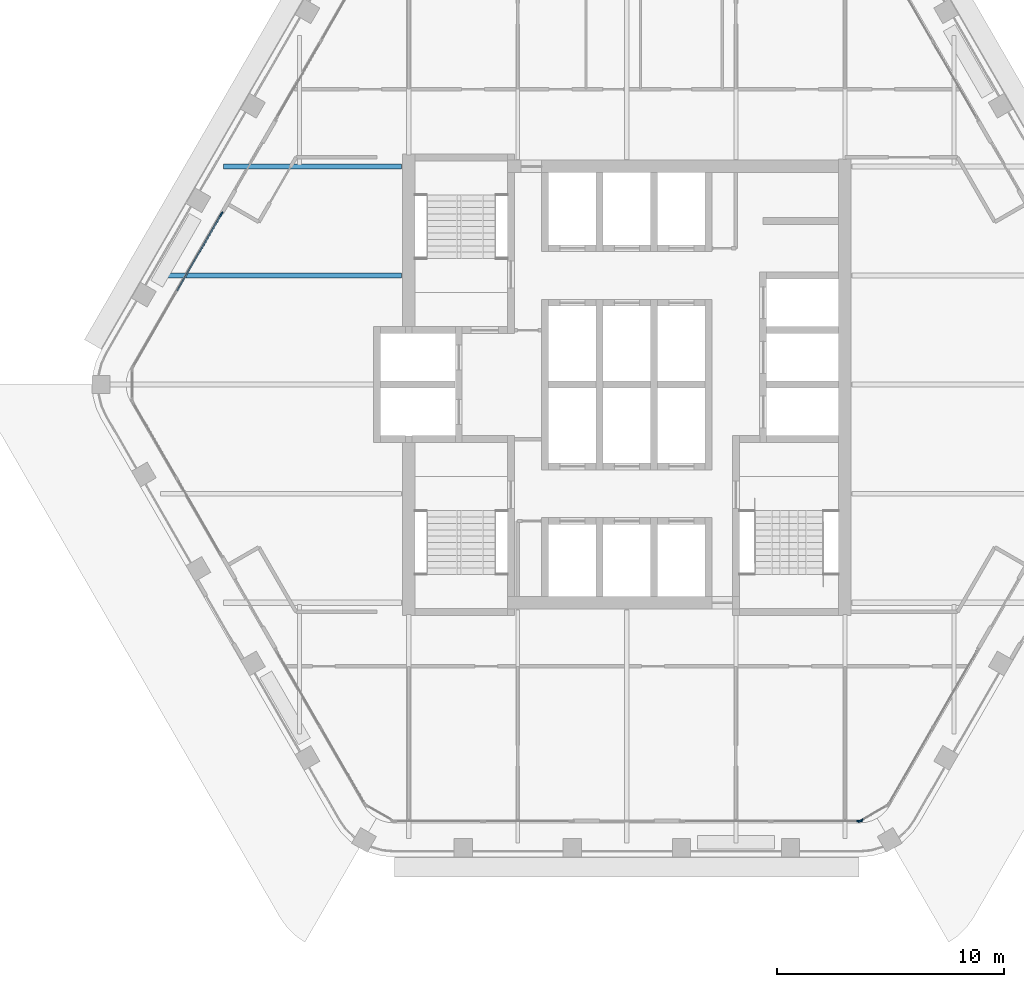
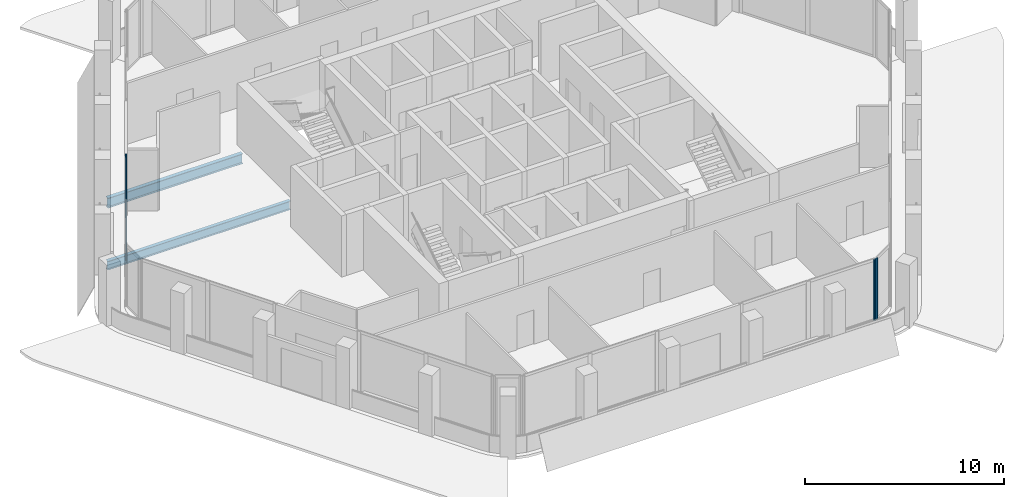
# One storey, part 3 of 14: 5 members, 2 beams, 3 elements without a shape of their own.
"""IFC4 building model written with IfcOpenShell, lengths in metres."""

import ifcopenshell
import ifcopenshell.guid

model = None  # the IFC model being written
_history = None  # IfcOwnerHistory: only IFC2X3 demands one
_inside = {}  # id of a spatial element -> (the spatial element, [elements in it])
_under = {}  # id of a project, library or spatial element -> (it, [spatial elements below it])
_declared = {}  # id of a project -> (the project, [libraries it declares])
_typed = {}  # id of a type object -> (the type object, [elements of that type])
_made_of = {}  # id of a material, layer set ... -> (it, [elements and type objects made of it])


def new_model(schema):
    """Start an empty IFC model of exactly this schema.

    Asked for "IFC4X3", IfcOpenShell would pick the latest addendum, in which some entities
    have other attributes; the version numbers below select the first issue.
    IFC2X3 requires an IfcOwnerHistory on every rooted entity: one is made here for all.
    """
    global model, _history
    if schema == "IFC4X3":
        model = ifcopenshell.file(schema_version=(4, 3, 0, 0))
    else:
        model = ifcopenshell.file(schema=schema)
    _inside.clear()
    _under.clear()
    _declared.clear()
    _typed.clear()
    _made_of.clear()
    _history = None
    if model.schema == "IFC2X3":
        org = make("IfcOrganization", Name="unknown")
        user = make(
            "IfcPersonAndOrganization",
            ThePerson=make("IfcPerson", FamilyName="unknown"),
            TheOrganization=org,
        )
        app = make(
            "IfcApplication",
            ApplicationDeveloper=org,
            Version="unknown",
            ApplicationFullName="unknown",
            ApplicationIdentifier="unknown",
        )
        _history = make(
            "IfcOwnerHistory",
            OwningUser=user,
            OwningApplication=app,
            ChangeAction="ADDED",
            CreationDate=0,
        )
    return model


def make(cls, **values):
    """One entity of the class cls with the attributes given. An attribute that is None is left unset."""
    return model.create_entity(
        cls, **{name: value for name, value in values.items() if value is not None}
    )


def rooted(cls, **values):
    """An entity with a GlobalId (a new one), such as an element, a storey or a relation."""
    return make(cls, GlobalId=ifcopenshell.guid.new(), OwnerHistory=_history, **values)


def si_unit(unit_type, name, prefix=None):
    """IfcSIUnit, for example si_unit("LENGTHUNIT", "METRE", prefix="MILLI")."""
    return make("IfcSIUnit", UnitType=unit_type, Prefix=prefix, Name=name)


def assignment(units):
    """IfcUnitAssignment: the units of a project."""
    return None if units is None else make("IfcUnitAssignment", Units=units)


def point(xyz):
    """IfcCartesianPoint."""
    return None if xyz is None else make("IfcCartesianPoint", Coordinates=xyz)


def direction(xyz):
    """IfcDirection."""
    return None if xyz is None else make("IfcDirection", DirectionRatios=xyz)


def frame(location, z_axis=None, x_axis=None):
    """IfcAxis2Placement3D, a coordinate frame: its origin and axes. An axis left out is left unset."""
    return make(
        "IfcAxis2Placement3D",
        Location=point(location),
        Axis=direction(z_axis),
        RefDirection=direction(x_axis),
    )


def frame_2d(location, x_axis=None):
    """IfcAxis2Placement2D, a coordinate frame in the plane: its origin and x axis."""
    return make(
        "IfcAxis2Placement2D", Location=point(location), RefDirection=direction(x_axis)
    )


def origin():
    """The frame at (0, 0, 0) with its axes left unset."""
    return frame((0.0, 0.0, 0.0))


def origin_2d():
    """The frame at (0, 0) in the plane with its x axis left unset."""
    return frame_2d((0.0, 0.0))


def place(relative_to, where):
    """IfcLocalPlacement: puts the frame where relative to a parent placement (None: the world)."""
    return make(
        "IfcLocalPlacement", PlacementRelTo=relative_to, RelativePlacement=where
    )


def context(
    kind, dimensions, precision=None, world=None, true_north=None, identifier=None
):
    """IfcGeometricRepresentationContext, for example the 3D "Model" context."""
    return make(
        "IfcGeometricRepresentationContext",
        ContextIdentifier=identifier,
        ContextType=kind,
        CoordinateSpaceDimension=dimensions,
        Precision=precision,
        WorldCoordinateSystem=world,
        TrueNorth=true_north,
    )


def subcontext(parent, identifier, kind, view, scale=None):
    """IfcGeometricRepresentationSubContext, for example "Body" below "Model"."""
    return make(
        "IfcGeometricRepresentationSubContext",
        ContextIdentifier=identifier,
        ContextType=kind,
        ParentContext=parent,
        TargetScale=scale,
        TargetView=view,
    )


def project(units=None, contexts=None):
    """IfcProject with its units and contexts."""
    return rooted(
        "IfcProject",
        Name="project",
        RepresentationContexts=contexts,
        UnitsInContext=assignment(units),
    )


def spatial(cls, under=None, at=None, **own):
    """A site, building, storey or space (cls), placed at a placement, below another one or the project."""
    s = rooted(cls, ObjectPlacement=at, **own)
    if under is not None:
        _under.setdefault(under.id(), (under, []))[1].append(s)
    return s


def profile(cls, at=None, kind="AREA", **sizes):
    """A parametric profile (cls). Its sizes go by their IFC names, for example OverallWidth=200.0."""
    return make(cls, ProfileType=kind, Position=at, **sizes)


def rectangle(**sizes):
    """IfcRectangleProfileDef."""
    return profile("IfcRectangleProfileDef", **sizes)


def i_section(**sizes):
    """IfcIShapeProfileDef."""
    return profile("IfcIShapeProfileDef", **sizes)


def extrude(swept, where, along, depth):
    """IfcExtrudedAreaSolid: the profile swept, set in the frame where, extruded along a direction by depth."""
    return make(
        "IfcExtrudedAreaSolid",
        SweptArea=swept,
        Position=where,
        ExtrudedDirection=direction(along),
        Depth=depth,
    )


def shape(context_of_items, identifier, shape_type, items):
    """IfcShapeRepresentation: the items that make up one representation, for example the "Body"."""
    return make(
        "IfcShapeRepresentation",
        ContextOfItems=context_of_items,
        RepresentationIdentifier=identifier,
        RepresentationType=shape_type,
        Items=items,
    )


def material(Name=None, Category=None):
    """IfcMaterial."""
    return make("IfcMaterial", Name=Name, Category=Category)


def material_profile(
    of_material, cross_section, Name=None, Category=None, Priority=None
):
    """IfcMaterialProfile: a cross section and its material."""
    return make(
        "IfcMaterialProfile",
        Name=Name,
        Material=of_material,
        Profile=cross_section,
        Priority=Priority,
        Category=Category,
    )


def profile_set(profiles, Name=None, composite=None):
    """IfcMaterialProfileSet."""
    return make(
        "IfcMaterialProfileSet",
        Name=Name,
        MaterialProfiles=profiles,
        CompositeProfile=composite,
    )


def made_of(thing, what):
    """Note that an element or type object is made of a material, layer set ...; save() writes the relation."""
    if what is not None:
        _made_of.setdefault(what.id(), (what, []))[1].append(thing)
    return thing


def type_object(cls, material=None, **own):
    """A type object (cls), such as IfcWallType, which elements share."""
    return made_of(rooted(cls, **own), material)


def element(
    cls,
    number,
    at=None,
    inside=None,
    cuts=None,
    type_object=None,
    material=None,
    context=None,
    identifier="Body",
    shape_type=None,
    held_by="IfcProductDefinitionShape",
    body=None,
    shapes=None,
    **own,
):
    """One element of the class cls, such as IfcWall. Its Tag is "e" and its number.

    at: its placement. inside: the storey or other place that contains it. cuts: it is an
    opening in that element (IfcRelVoidsElement). A single representation is given by context,
    identifier, shape_type and body (its items); several are given by shapes. held_by: the class
    of the entity that holds the representations. save() writes the other relations.
    """
    e = rooted(cls, Tag="e%d" % number, ObjectPlacement=at, **own)
    if body is not None:
        shapes = [shape(context, identifier, shape_type, body)]
    if shapes is not None:
        e.Representation = make(held_by, Representations=shapes)
    if inside is not None:
        _inside.setdefault(inside.id(), (inside, []))[1].append(e)
    if cuts is not None:
        rooted(
            "IfcRelVoidsElement", RelatingBuildingElement=cuts, RelatedOpeningElement=e
        )
    if type_object is not None:
        _typed.setdefault(type_object.id(), (type_object, []))[1].append(e)
    return made_of(e, material)


def aggregate(whole, parts):
    """IfcRelAggregates: a whole, such as a stair, and the parts it consists of."""
    return rooted("IfcRelAggregates", RelatingObject=whole, RelatedObjects=parts)


def save(model, path):
    """Write the relations noted so far, then the file.

    IfcRelAggregates (storeys below a building ...), IfcRelContainedInSpatialStructure (elements
    in a storey), IfcRelDefinesByType, IfcRelAssociatesMaterial and IfcRelDeclares: one each for
    every whole, place, type object, material and project.
    """
    for whole, parts in _under.values():
        aggregate(whole, parts)
    for where, things in _inside.values():
        rooted(
            "IfcRelContainedInSpatialStructure",
            RelatedElements=things,
            RelatingStructure=where,
        )
    for kind, things in _typed.values():
        rooted("IfcRelDefinesByType", RelatedObjects=things, RelatingType=kind)
    for what, things in _made_of.values():
        rooted("IfcRelAssociatesMaterial", RelatedObjects=things, RelatingMaterial=what)
    for by, libraries in _declared.values():
        rooted("IfcRelDeclares", RelatingContext=by, RelatedDefinitions=libraries)
    model.write(path)


model = new_model("IFC4")

# Units and contexts
model_context = context("Model", 3, precision=1e-05, world=origin(), true_north=direction((0.0, 1.0)))
body_context = subcontext(model_context, "Body", "Model", "MODEL_VIEW")
ifc_project = project(units=[si_unit("LENGTHUNIT", "METRE"), si_unit("AREAUNIT", "SQUARE_METRE"), si_unit("VOLUMEUNIT", "CUBIC_METRE"), si_unit("PLANEANGLEUNIT", "RADIAN"), si_unit("MASSUNIT", "GRAM", prefix="KILO")], contexts=[model_context])

# Site, building, storey
site_placement = place(None, origin())
site = spatial("IfcSite", under=ifc_project, at=site_placement, CompositionType="ELEMENT")
building_placement = place(site_placement, origin())
building = spatial("IfcBuilding", under=site, at=building_placement, Name="Kolab Exchange Tower", CompositionType="ELEMENT")
storey_placement = place(building_placement, frame((0.0, 0.0, 222.800048828125)))
storey = spatial("IfcBuildingStorey", under=building, at=storey_placement, Name="L48", CompositionType="ELEMENT", Elevation=222.800048828125)

# Beams
ifc_material_1 = material(Name="Steel S355", Category="steel")
ifc_material_profile_1 = material_profile(ifc_material_1, i_section(OverallWidth=0.208984375, OverallDepth=0.532958984375, WebThickness=0.01025390625, FlangeThickness=0.015625, at=origin_2d()), Name="W530X92")
ifc_profile_set_1 = profile_set([ifc_material_profile_1], Name="Steel S355")
beam_type_1 = type_object("IfcBeamType", Name="FLOOR BEAM W530X92", PredefinedType="BEAM", material=ifc_profile_set_1)
beam_1_placement = place(storey_placement, frame((-20.518310546875, 4.800048828125, -0.41650390625), z_axis=(1.0, 0.0, 0.0), x_axis=(0.0, 1.0, 0.0)))
element("IfcBeam", 1, at=beam_1_placement, inside=storey, type_object=beam_type_1, Name="beam/L48/fr/002", PredefinedType="BEAM", context=body_context, shape_type="SweptSolid", body=[
    extrude(i_section(OverallWidth=0.208984375, OverallDepth=0.532958984375, WebThickness=0.01025390625, FlangeThickness=0.015625, at=origin_2d()), origin(), (0.0, 0.0, 1.0), 10.6083984375),
])
ifc_material_profile_2 = material_profile(ifc_material_1, i_section(OverallWidth=0.22802734375, OverallDepth=0.60791015625, WebThickness=0.01123046875, FlangeThickness=0.017333984375, at=origin_2d()), Name="W610X113")
ifc_profile_set_2 = profile_set([ifc_material_profile_2], Name="Steel S355")
beam_type_2 = type_object("IfcBeamType", Name="FLOOR GIRDER W610X113", PredefinedType="BEAM", material=ifc_profile_set_2)
beam_2_placement = place(storey_placement, frame((-17.746826171875, 9.60009765625, -0.4541015625), z_axis=(1.0, 0.0, 0.0), x_axis=(0.0, 1.0, 0.0)))
element("IfcBeam", 2, at=beam_2_placement, inside=storey, type_object=beam_type_2, Name="beam/L48/gd/001", PredefinedType="BEAM", context=body_context, shape_type="SweptSolid", body=[
    extrude(i_section(OverallWidth=0.22802734375, OverallDepth=0.60791015625, WebThickness=0.01123046875, FlangeThickness=0.017333984375, at=origin_2d()), origin(), (0.0, 0.0, 1.0), 7.8369140625),
])

# Curtain wall, member
ifc_material_2 = material(Name="Aluminium EN AW-6063 T6", Category="aluminium")
curtain_wall_type = type_object("IfcCurtainWallType", Name="UNITISED HIGH ZONE CURTAIN WALL", PredefinedType="NOTDEFINED", material=ifc_material_2)
curtain_wall_1_placement = place(storey_placement, origin())
curtain_wall_1 = element("IfcCurtainWall", 3, at=curtain_wall_1_placement, inside=storey, type_object=curtain_wall_type, Name="cw/L48/F4-1", PredefinedType="NOTDEFINED")
ifc_material_profile_3 = material_profile(ifc_material_2, rectangle(XDim=0.06005859375, YDim=0.239990234375, at=origin_2d()), Name="RECT 60X240")
ifc_profile_set_3 = profile_set([ifc_material_profile_3], Name="Aluminium EN AW-6063 T6")
member_type_1 = type_object("IfcMemberType", Name="UNITISED HIGH ZONE MULLION 60 X 240", PredefinedType="MULLION", material=ifc_profile_set_3)
member_1_placement = place(storey_placement, frame((10.238037109375, -19.20458984375, 0.0), z_axis=(0.0, 0.0, 1.0), x_axis=(0.0, -1.0, 0.0)))
member_1 = element("IfcMember", 4, at=member_1_placement, type_object=member_type_1, Name="CW4 mullion 1", PredefinedType="MULLION", context=body_context, shape_type="SweptSolid", body=[
    extrude(rectangle(XDim=0.06005859375, YDim=0.239990234375, at=origin_2d()), origin(), (0.0, 0.0, 1.0), 3.75),
])
aggregate(curtain_wall_1, [member_1])

curtain_wall_2_placement = place(storey_placement, origin())
curtain_wall_2 = element("IfcCurtainWall", 5, at=curtain_wall_2_placement, inside=storey, type_object=curtain_wall_type, Name="cw/L48/F6-1", PredefinedType="NOTDEFINED")
member_2_placement = place(storey_placement, frame((-17.8466796875, 7.497802734375, 0.0), z_axis=(0.0, 0.0, 1.0), x_axis=(-0.866025440524, 0.499999936366, 0.0)))
member_2 = element("IfcMember", 6, at=member_2_placement, type_object=member_type_1, Name="CW4 mullion 3", PredefinedType="MULLION", context=body_context, shape_type="SweptSolid", body=[
    extrude(rectangle(XDim=0.06005859375, YDim=0.239990234375, at=origin_2d()), origin(), (0.0, 0.0, 1.0), 3.75),
])

curtain_wall_3_placement = place(storey_placement, origin())
curtain_wall_3 = element("IfcCurtainWall", 7, at=curtain_wall_3_placement, inside=storey, type_object=curtain_wall_type, Name="cw/L48/F3F4-corner", PredefinedType="NOTDEFINED")
member_3_placement = place(storey_placement, frame((10.2939453125, -19.189697265625, 0.0), z_axis=(0.0, 0.0, 1.0), x_axis=(0.50000002237, -0.866025390869, 0.0)))
member_3 = element("IfcMember", 8, at=member_3_placement, type_object=member_type_1, Name="CW4 mullion 2", PredefinedType="MULLION", context=body_context, shape_type="SweptSolid", body=[
    extrude(rectangle(XDim=0.06005859375, YDim=0.239990234375, at=origin_2d()), origin(), (0.0, 0.0, 1.0), 3.75),
])
aggregate(curtain_wall_3, [member_3])

# Member
ifc_material_profile_4 = material_profile(ifc_material_2, rectangle(XDim=0.06005859375, YDim=0.159912109375, at=origin_2d()), Name="RECT 60X160")
ifc_profile_set_4 = profile_set([ifc_material_profile_4], Name="Aluminium EN AW-6063 T6")
member_type_2 = type_object("IfcMemberType", Name="UNITISED HIGH ZONE TRANSOM 60 X 160", PredefinedType="USERDEFINED", material=ifc_profile_set_4)
member_4_placement = place(storey_placement, frame((-19.78369140625, 4.142822265625, 0.030029296875), z_axis=(0.500011990396, 0.866018481016, 0.0), x_axis=(-0.866018481016, 0.500011990396, 0.0)))
member_4 = element("IfcMember", 9, at=member_4_placement, type_object=member_type_2, Name="CW4 transom 2.1", ObjectType="TRANSOM", PredefinedType="USERDEFINED", context=body_context, shape_type="SweptSolid", body=[
    extrude(rectangle(XDim=0.06005859375, YDim=0.159912109375, at=origin_2d()), origin(), (0.0, 0.0, 1.0), 3.84423828125),
])

member_5_placement = place(storey_placement, frame((-19.78369140625, 4.142822265625, 3.719970703125), z_axis=(0.500011990396, 0.866018481016, 0.0), x_axis=(-0.866018481016, 0.500011990396, 0.0)))
member_5 = element("IfcMember", 10, at=member_5_placement, type_object=member_type_2, Name="CW4 transom 2.2", ObjectType="TRANSOM", PredefinedType="USERDEFINED", context=body_context, shape_type="SweptSolid", body=[
    extrude(rectangle(XDim=0.06005859375, YDim=0.159912109375, at=origin_2d()), origin(), (0.0, 0.0, 1.0), 3.84423828125),
])

aggregate(curtain_wall_2, [member_2, member_4, member_5])

save(model, "model.ifc")
